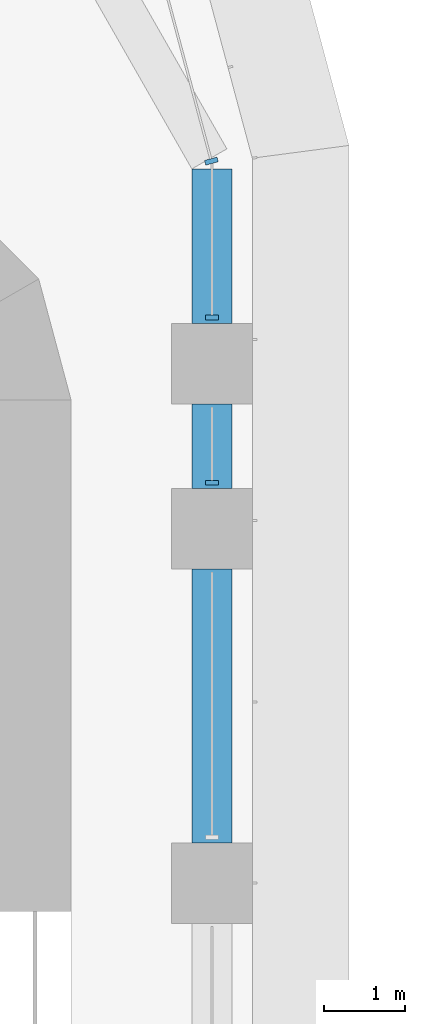
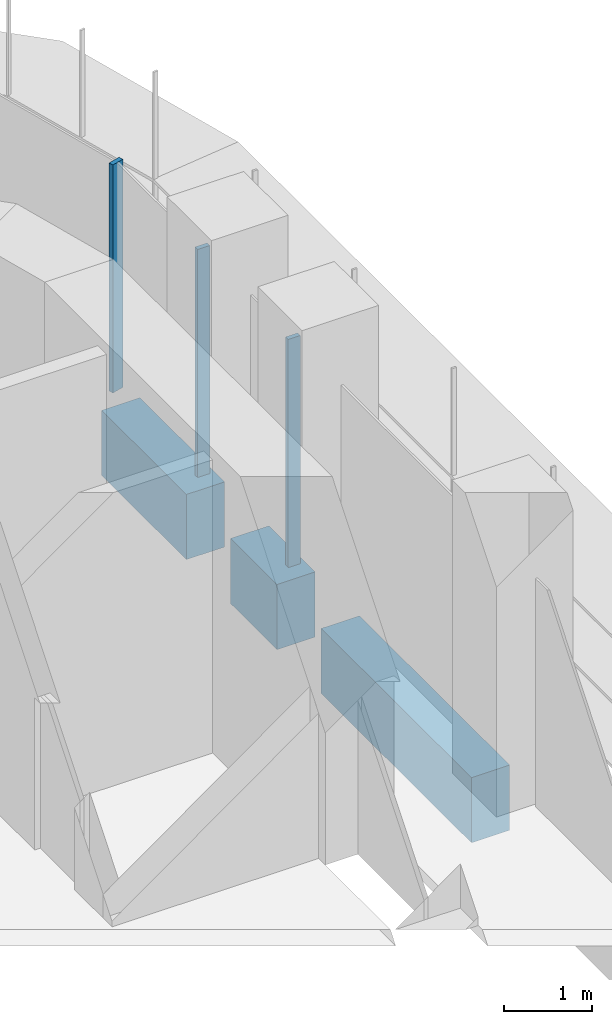
# One storey, part 10 of 23: 3 beams, 3 members, 2 elements without a shape of their own.
"""IFC4 building model written with IfcOpenShell, lengths in metres."""

from ifc_helpers import new_model, si_unit, direction, frame, origin, origin_2d, place, context, subcontext, project, spatial, polyline, rectangle, outline, extrude, source, transform, mapped, material, material_profile, profile_set, type_object, element, aggregate, save


model = new_model("IFC4")

# Units and contexts
model_context = context("Model", 3, precision=1e-05, world=origin(), true_north=direction((0.0, 1.0)))
body_context = subcontext(model_context, "Body", "Model", "MODEL_VIEW")
ifc_project = project(units=[si_unit("LENGTHUNIT", "METRE"), si_unit("AREAUNIT", "SQUARE_METRE"), si_unit("VOLUMEUNIT", "CUBIC_METRE"), si_unit("PLANEANGLEUNIT", "RADIAN"), si_unit("MASSUNIT", "GRAM", prefix="KILO")], contexts=[model_context])

# Site, building, storey
site_placement = place(None, origin())
site = spatial("IfcSite", under=ifc_project, at=site_placement, CompositionType="ELEMENT")
building_placement = place(site_placement, origin())
building = spatial("IfcBuilding", under=site, at=building_placement, Name="Zarbagh Exchange Tower", CompositionType="ELEMENT")
storey_placement = place(building_placement, frame((0.0, 0.0, 31.199951171875)))
storey = spatial("IfcBuildingStorey", under=building, at=storey_placement, Name="L06", CompositionType="ELEMENT", Elevation=31.199951171875)

# Beams
ifc_material_1 = material(Name="Concrete C60/75", Category="concrete")
ifc_material_profile = material_profile(ifc_material_1, rectangle(XDim=0.5, YDim=0.89990234375, at=origin_2d()), Name="RC spandrel beam 500 x 900 C60/75")
ifc_profile_set = profile_set([ifc_material_profile], Name="Concrete C60/75")
beam_type = type_object("IfcBeamType", Name="RC spandrel beam 500 x 900 C60/75", PredefinedType="SPANDREL", material=ifc_profile_set)
beam_1_placement = place(storey_placement, frame((6.25, 29.117919921875, -0.599853515625), z_axis=(0.0, -1.0, 0.0), x_axis=(1.0, 0.0, 0.0)))
element("IfcBeam", 1, at=beam_1_placement, inside=storey, type_object=beam_type, Name="RC spandrel beam", PredefinedType="SPANDREL", context=body_context, shape_type="SweptSolid", body=[
    extrude(rectangle(XDim=0.5, YDim=0.89990234375, at=origin_2d()), origin(), (0.0, 0.0, 1.0), 1.91796875),
])
beam_2_placement = place(storey_placement, frame((6.25, 26.199951171875, -0.599853515625), z_axis=(0.0, -1.0, 0.0), x_axis=(1.0, 0.0, 0.0)))
element("IfcBeam", 2, at=beam_2_placement, inside=storey, type_object=beam_type, Name="RC spandrel beam", PredefinedType="SPANDREL", context=body_context, shape_type="SweptSolid", body=[
    extrude(rectangle(XDim=0.5, YDim=0.89990234375, at=origin_2d()), origin(), (0.0, 0.0, 1.0), 1.050048828125),
])
beam_3_placement = place(storey_placement, frame((6.25, 24.14990234375, -0.599853515625), z_axis=(0.0, -1.0, 0.0), x_axis=(1.0, 0.0, 0.0)))
element("IfcBeam", 3, at=beam_3_placement, inside=storey, type_object=beam_type, Name="RC spandrel beam", PredefinedType="SPANDREL", context=body_context, shape_type="SweptSolid", body=[
    extrude(rectangle(XDim=0.5, YDim=0.89990234375, at=origin_2d()), origin(), (0.0, 0.0, 1.0), 3.39990234375),
])

# Curtain wall, members
ifc_material_2 = material(Name="Anodised aluminium frame and glazing", Category="aluminium")
curtain_wall_type = type_object("IfcCurtainWallType", Name="CWA Ribbon glazing, lower zones", PredefinedType="NOTDEFINED", material=ifc_material_2)
curtain_wall_1_placement = place(storey_placement, origin())
curtain_wall_1 = element("IfcCurtainWall", 4, at=curtain_wall_1_placement, inside=storey, type_object=curtain_wall_type, Name="CWA20 curtain wall", PredefinedType="NOTDEFINED")
ifc_material_3 = material(Name="Anodised aluminium frame", Category="aluminium")
member_type = type_object("IfcMemberType", Name="MUA Mullion, anodised aluminium frame", PredefinedType="MULLION", material=ifc_material_3)
shared_shape = source(origin(), body_context, "Body", "SweptSolid", [
    extrude(outline(polyline([(0.0, -0.080078125), (0.06005859375, -0.080078125), (0.06005859375, 0.080078125), (0.0, 0.080078125), (0.0, -0.080078125)])), origin(), (0.0, 0.0, 1.0), 3.14990234375),
])
placement = place(storey_placement, origin())
member_1 = element("IfcMember", 5, at=placement, type_object=member_type, Name="CWA20 mullion 4.1", PredefinedType="MULLION", context=body_context, shape_type="MappedRepresentation", body=[
    mapped(shared_shape, transform((6.25, 25.18994140625, 0.0), x_axis=(0.0, 1.0, 0.0), y_axis=(-1.0, 0.0, 0.0), z_axis=(0.0, 0.0, 1.0))),
])
member_2 = element("IfcMember", 6, at=placement, type_object=member_type, Name="CWA20 mullion 5.1", PredefinedType="MULLION", context=body_context, shape_type="MappedRepresentation", body=[
    mapped(shared_shape, transform((6.25, 27.239990234375, 0.0), x_axis=(0.0, 1.0, 0.0), y_axis=(-1.0, 0.0, 0.0), z_axis=(0.0, 0.0, 1.0))),
])
aggregate(curtain_wall_1, [member_1, member_2])

# Curtain wall, member
curtain_wall_2_placement = place(storey_placement, origin())
curtain_wall_2 = element("IfcCurtainWall", 7, at=curtain_wall_2_placement, inside=storey, type_object=curtain_wall_type, Name="CWA21 curtain wall", PredefinedType="NOTDEFINED")
member_3 = element("IfcMember", 8, at=placement, type_object=member_type, Name="CWA21 mullion 1.1", PredefinedType="MULLION", context=body_context, shape_type="MappedRepresentation", body=[
    mapped(shared_shape, transform((6.25, 29.18408203125, 0.0), x_axis=(-0.258824779902, 0.965924289636, 0.0), y_axis=(-0.965924289636, -0.258824779902, 0.0), z_axis=(0.0, 0.0, 1.0))),
])
aggregate(curtain_wall_2, [member_3])

save(model, "model.ifc")
